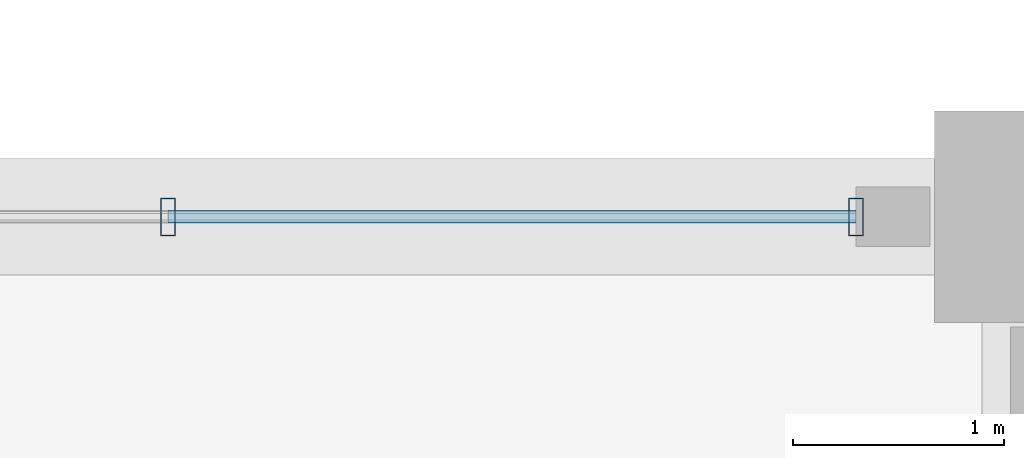
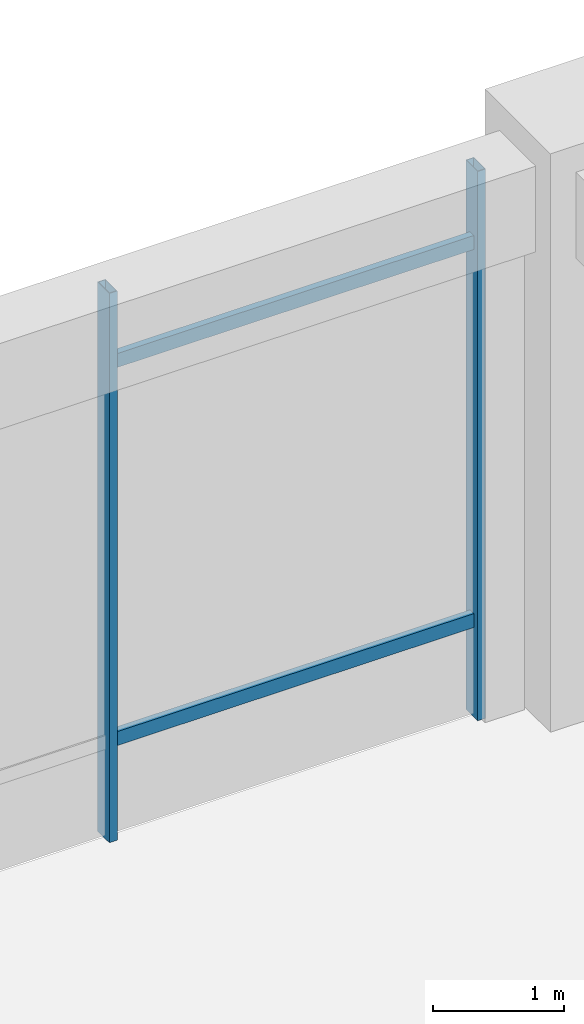
# One storey, part 112 of 148: 4 members, 1 element without a shape of its own.
"""IFC4 building model written with IfcOpenShell, lengths in metres."""

from ifc_helpers import new_model, si_unit, direction, frame, origin, origin_2d, place, context, subcontext, project, spatial, hollow_rectangle, extrude, material, material_profile, profile_set, type_object, element, aggregate, save


model = new_model("IFC4")

# Units and contexts
model_context = context("Model", 3, precision=1e-05, world=origin(), true_north=direction((0.0, 1.0)))
body_context = subcontext(model_context, "Body", "Model", "MODEL_VIEW")
ifc_project = project(units=[si_unit("LENGTHUNIT", "METRE"), si_unit("AREAUNIT", "SQUARE_METRE"), si_unit("VOLUMEUNIT", "CUBIC_METRE"), si_unit("PLANEANGLEUNIT", "RADIAN"), si_unit("MASSUNIT", "GRAM", prefix="KILO")], contexts=[model_context])

# Site, building, storey
site_placement = place(None, origin())
site = spatial("IfcSite", under=ifc_project, at=site_placement, CompositionType="ELEMENT")
building_placement = place(site_placement, origin())
building = spatial("IfcBuilding", under=site, at=building_placement, Name="Ologun Quay Terminus", CompositionType="ELEMENT")
storey_placement = place(building_placement, frame((0.0, 0.0, 8.39990234375)))
storey = spatial("IfcBuildingStorey", under=building, at=storey_placement, Name="L02", CompositionType="ELEMENT", Elevation=8.39990234375)

# Curtain wall, members
ifc_material_1 = material(Name="Aluminium 6063-T6", Category="aluminium")
curtain_wall_type = type_object("IfcCurtainWallType", Name="Waterfront Pavilion Harbour Curtain Wall L02 10500x5000", PredefinedType="USERDEFINED", material=ifc_material_1)
curtain_wall_placement = place(storey_placement, origin())
curtain_wall = element("IfcCurtainWall", 1, at=curtain_wall_placement, inside=storey, type_object=curtain_wall_type, Name="CW-24 Curtain Wall CW-L02-134", ObjectType="UNITISED CURTAIN WALL", PredefinedType="USERDEFINED")
ifc_material_2 = material(Name="Aluminium 6063-T6", Category="aluminium")
ifc_material_profile_1 = material_profile(ifc_material_2, hollow_rectangle(XDim=0.070068359375, YDim=0.179931640625, WallThickness=0.0048828125, at=origin_2d()), Name="ALU 180x70x5")
ifc_profile_set_1 = profile_set([ifc_material_profile_1], Name="Aluminium 6063-T6")
member_type_1 = type_object("IfcMemberType", Name="Curtain Wall Heavy Mullion 180x70", PredefinedType="MULLION", material=ifc_profile_set_1)
member_1_placement = place(storey_placement, frame((145.376708984375, 114.800048828125, 0.0), z_axis=(0.0, 0.0, 1.0), x_axis=(1.0, 0.0, 0.0)))
member_1 = element("IfcMember", 2, at=member_1_placement, type_object=member_type_1, Name="CW-L02-134 Mullion 3", PredefinedType="MULLION", context=body_context, shape_type="SweptSolid", body=[
    extrude(hollow_rectangle(XDim=0.070068359375, YDim=0.179931640625, WallThickness=0.0048828125, at=origin_2d()), origin(), (0.0, 0.0, 1.0), 5.130126953125),
])
member_2_placement = place(storey_placement, frame((148.6298828125, 114.800048828125, 0.0), z_axis=(0.0, 0.0, 1.0), x_axis=(1.0, 0.0, 0.0)))
member_2 = element("IfcMember", 3, at=member_2_placement, type_object=member_type_1, Name="CW-L02-134 Mullion 4", PredefinedType="MULLION", context=body_context, shape_type="SweptSolid", body=[
    extrude(hollow_rectangle(XDim=0.070068359375, YDim=0.179931640625, WallThickness=0.0048828125, at=origin_2d()), origin(), (0.0, 0.0, 1.0), 5.130126953125),
])
ifc_material_3 = material(Name="Aluminium 6063-T6", Category="aluminium")
ifc_material_profile_2 = material_profile(ifc_material_3, hollow_rectangle(XDim=0.06005859375, YDim=0.1298828125, WallThickness=0.00390625, at=origin_2d()), Name="ALU 130x60x4")
ifc_profile_set_2 = profile_set([ifc_material_profile_2], Name="Aluminium 6063-T6")
member_type_2 = type_object("IfcMemberType", Name="Curtain Wall Heavy Transom 130x60", PredefinedType="USERDEFINED", material=ifc_profile_set_2)
member_3_placement = place(storey_placement, frame((145.376708984375, 114.800048828125, 0.900146484375), z_axis=(1.0, 0.0, 0.0), x_axis=(0.0, 1.0, 0.0)))
member_3 = element("IfcMember", 4, at=member_3_placement, type_object=member_type_2, Name="CW-L02-134 Transom B3-1", ObjectType="TRANSOM", PredefinedType="USERDEFINED", context=body_context, shape_type="SweptSolid", body=[
    extrude(hollow_rectangle(XDim=0.06005859375, YDim=0.1298828125, WallThickness=0.00390625, at=origin_2d()), origin(), (0.0, 0.0, 1.0), 3.253173828125),
])
member_4_placement = place(storey_placement, frame((145.376708984375, 114.800048828125, 4.43017578125), z_axis=(1.0, 0.0, 0.0), x_axis=(0.0, 1.0, 0.0)))
member_4 = element("IfcMember", 5, at=member_4_placement, type_object=member_type_2, Name="CW-L02-134 Transom B3-2", ObjectType="TRANSOM", PredefinedType="USERDEFINED", context=body_context, shape_type="SweptSolid", body=[
    extrude(hollow_rectangle(XDim=0.06005859375, YDim=0.1298828125, WallThickness=0.00390625, at=origin_2d()), origin(), (0.0, 0.0, 1.0), 3.253173828125),
])
aggregate(curtain_wall, [member_1, member_2, member_3, member_4])

save(model, "model.ifc")
